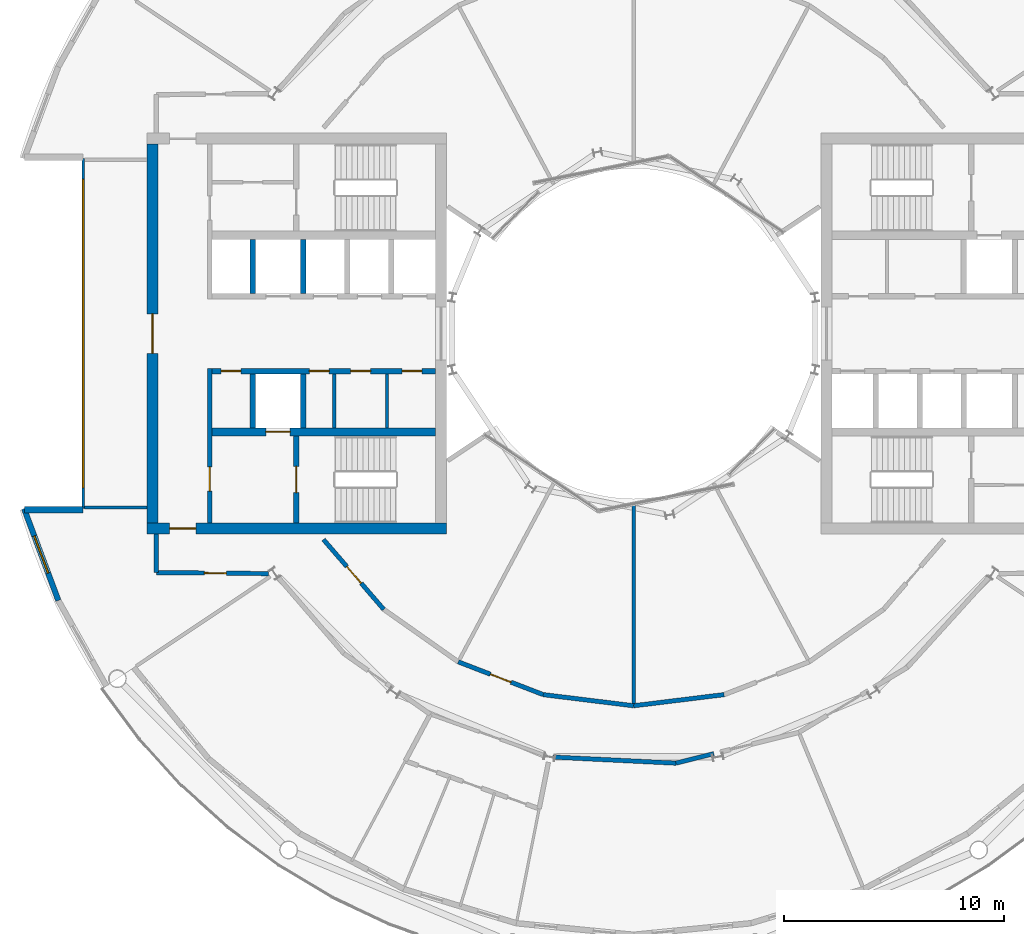
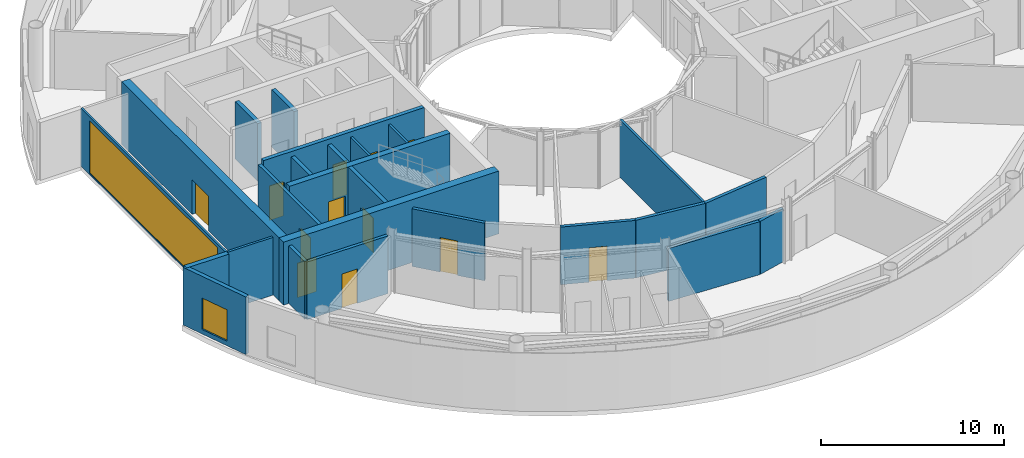
# One storey, part 13 of 21: 25 walls, 12 doors, 2 windows, 14 openings.
"""IFC4 building model written with IfcOpenShell, lengths in metres."""

from ifc_helpers import new_model, si_unit, direction, frame, frame_2d, origin, place, context, subcontext, project, spatial, rectangle, extrude, material, layer, layer_set, type_object, element, fill, save


model = new_model("IFC4")

# Units and contexts
model_context = context("Model", 3, precision=1e-05, world=origin(), true_north=direction((0.0, 1.0)))
body_context = subcontext(model_context, "Body", "Model", "MODEL_VIEW")
ifc_project = project(units=[si_unit("LENGTHUNIT", "METRE"), si_unit("AREAUNIT", "SQUARE_METRE"), si_unit("VOLUMEUNIT", "CUBIC_METRE"), si_unit("PLANEANGLEUNIT", "RADIAN"), si_unit("MASSUNIT", "GRAM", prefix="KILO")], contexts=[model_context])

# Site, building, storey
site_placement = place(None, origin())
site = spatial("IfcSite", under=ifc_project, at=site_placement, CompositionType="ELEMENT")
building_placement = place(site_placement, origin())
building = spatial("IfcBuilding", under=site, at=building_placement, Name="Maasbend Ring Residences", CompositionType="ELEMENT")
storey_placement = place(building_placement, frame((0.0, 0.0, 157.39990234375)))
storey = spatial("IfcBuildingStorey", under=building, at=storey_placement, Name="L45", CompositionType="ELEMENT", Elevation=157.39990234375)

# Wall, openings, doors
ifc_material_1 = material(Name="Concrete C60/75", Category="concrete")
ifc_layer_1 = layer(ifc_material_1, 0.25)
ifc_layer_set_1 = layer_set([ifc_layer_1], Name="Concrete C60/75")
wall_type_1 = type_object("IfcWallType", Name="CORE WALL 250 C60/75", PredefinedType="SHEAR", material=ifc_layer_set_1)
wall_1_placement = place(storey_placement, frame((-9.0, -1.699951171875, 0.0), z_axis=(0.0, 0.0, 1.0), x_axis=(-1.0, 0.0, 0.0)))
wall_1 = element("IfcWall", 1, at=wall_1_placement, inside=storey, type_object=wall_type_1, Name="L45 core W wall SPN", PredefinedType="SHEAR", context=body_context, shape_type="SweptSolid", body=[
    extrude(rectangle(XDim=10.14990234375, YDim=0.25, at=frame_2d((5.074951171875, 0.0))), origin(), (0.0, 0.0, 1.0), 4.2001953125),
])
opening_1_placement = place(wall_1_placement, frame((0.612548828125, 0.0, 0.0)))
opening_1 = element("IfcOpeningElement", 2, at=opening_1_placement, cuts=wall_1, Name="Opening D-W4506", PredefinedType="OPENING", context=body_context, shape_type="SweptSolid", body=[
    extrude(rectangle(XDim=0.89990234375, YDim=2.300048828125, at=frame_2d((0.449951171875, 1.14990234375))), frame((0.0, 0.135009765625, 0.0), z_axis=(0.0, -1.0, 0.0), x_axis=(1.0, 0.0, 0.0)), (0.0, 0.0, 1.0), 0.27001953125),
])
opening_2_placement = place(wall_1_placement, frame((2.949951171875, 0.0, 0.0)))
opening_2 = element("IfcOpeningElement", 3, at=opening_2_placement, cuts=wall_1, Name="Opening D-W4507", PredefinedType="OPENING", context=body_context, shape_type="SweptSolid", body=[
    extrude(rectangle(XDim=0.89990234375, YDim=2.300048828125, at=frame_2d((0.449951171875, 1.14990234375))), frame((0.0, 0.135009765625, 0.0), z_axis=(0.0, -1.0, 0.0), x_axis=(1.0, 0.0, 0.0)), (0.0, 0.0, 1.0), 0.27001953125),
])
opening_3_placement = place(wall_1_placement, frame((4.824951171875, 0.0, 0.0)))
opening_3 = element("IfcOpeningElement", 4, at=opening_3_placement, cuts=wall_1, Name="Opening D-W4508", PredefinedType="OPENING", context=body_context, shape_type="SweptSolid", body=[
    extrude(rectangle(XDim=0.89990234375, YDim=2.300048828125, at=frame_2d((0.449951171875, 1.14990234375))), frame((0.0, 0.135009765625, 0.0), z_axis=(0.0, -1.0, 0.0), x_axis=(1.0, 0.0, 0.0)), (0.0, 0.0, 1.0), 0.27001953125),
])
opening_4_placement = place(wall_1_placement, frame((8.83740234375, 0.0, 0.0)))
opening_4 = element("IfcOpeningElement", 5, at=opening_4_placement, cuts=wall_1, Name="Opening D-W4509", PredefinedType="OPENING", context=body_context, shape_type="SweptSolid", body=[
    extrude(rectangle(XDim=0.89990234375, YDim=2.300048828125, at=frame_2d((0.449951171875, 1.14990234375))), frame((0.0, 0.135009765625, 0.0), z_axis=(0.0, -1.0, 0.0), x_axis=(1.0, 0.0, 0.0)), (0.0, 0.0, 1.0), 0.27001953125),
])
ifc_material_2 = material(Name="Steel, powder coated", Category="steel")
door_type_1 = type_object("IfcDoorType", Name="ROOM DOOR 900 X 2300 FD30S", OperationType="NOTDEFINED", PredefinedType="DOOR", material=ifc_material_2)
door_1_placement = place(opening_1_placement, origin())
door_1 = element("IfcDoor", 6, at=door_1_placement, inside=storey, type_object=door_type_1, Name="Room door L45", OperationType="SINGLE_SWING_RIGHT", OverallHeight=2.300048828125, OverallWidth=0.89990234375, PredefinedType="DOOR", context=body_context, shape_type="SweptSolid", body=[
    extrude(rectangle(XDim=0.89990234375, YDim=2.300048828125, at=frame_2d((0.449951171875, 1.14990234375))), frame((0.0, 0.02490234375, 0.0), z_axis=(0.0, -1.0, 0.0), x_axis=(1.0, 0.0, 0.0)), (0.0, 0.0, 1.0), 0.050048828125),
])
fill(opening_1, door_1)
door_2_placement = place(opening_2_placement, origin())
door_2 = element("IfcDoor", 7, at=door_2_placement, inside=storey, type_object=door_type_1, Name="Room door L45", OperationType="SINGLE_SWING_RIGHT", OverallHeight=2.300048828125, OverallWidth=0.89990234375, PredefinedType="DOOR", context=body_context, shape_type="SweptSolid", body=[
    extrude(rectangle(XDim=0.89990234375, YDim=2.300048828125, at=frame_2d((0.449951171875, 1.14990234375))), frame((0.0, 0.02490234375, 0.0), z_axis=(0.0, -1.0, 0.0), x_axis=(1.0, 0.0, 0.0)), (0.0, 0.0, 1.0), 0.050048828125),
])
fill(opening_2, door_2)
door_3_placement = place(opening_3_placement, origin())
door_3 = element("IfcDoor", 8, at=door_3_placement, inside=storey, type_object=door_type_1, Name="Room door L45", OperationType="SINGLE_SWING_LEFT", OverallHeight=2.300048828125, OverallWidth=0.89990234375, PredefinedType="DOOR", context=body_context, shape_type="SweptSolid", body=[
    extrude(rectangle(XDim=0.89990234375, YDim=2.300048828125, at=frame_2d((0.449951171875, 1.14990234375))), frame((0.0, 0.02490234375, 0.0), z_axis=(0.0, -1.0, 0.0), x_axis=(1.0, 0.0, 0.0)), (0.0, 0.0, 1.0), 0.050048828125),
])
fill(opening_3, door_3)
door_4_placement = place(opening_4_placement, origin())
door_4 = element("IfcDoor", 9, at=door_4_placement, inside=storey, type_object=door_type_1, Name="Room door L45", OperationType="SINGLE_SWING_LEFT", OverallHeight=2.300048828125, OverallWidth=0.89990234375, PredefinedType="DOOR", context=body_context, shape_type="SweptSolid", body=[
    extrude(rectangle(XDim=0.89990234375, YDim=2.300048828125, at=frame_2d((0.449951171875, 1.14990234375))), frame((0.0, 0.02490234375, 0.0), z_axis=(0.0, -1.0, 0.0), x_axis=(1.0, 0.0, 0.0)), (0.0, 0.0, 1.0), 0.050048828125),
])
fill(opening_4, door_4)

# Wall, opening, door
wall_2_placement = place(storey_placement, frame((-15.324951171875, -4.64990234375, 0.0), z_axis=(0.0, 0.0, 1.0), x_axis=(0.0, -1.0, 0.0)))
wall_2 = element("IfcWall", 10, at=wall_2_placement, inside=storey, type_object=wall_type_1, Name="L45 core W wall STEN", PredefinedType="SHEAR", context=body_context, shape_type="SweptSolid", body=[
    extrude(rectangle(XDim=3.9501953125, YDim=0.25, at=frame_2d((1.97509765625, 0.0))), origin(), (0.0, 0.0, 1.0), 4.2001953125),
])
opening_5_placement = place(wall_2_placement, frame((1.375, 0.0, 0.0)))
opening_5 = element("IfcOpeningElement", 11, at=opening_5_placement, cuts=wall_2, Name="Opening D-W4511", PredefinedType="OPENING", context=body_context, shape_type="SweptSolid", body=[
    extrude(rectangle(XDim=1.199951171875, YDim=2.300048828125, at=frame_2d((0.60009765625, 1.14990234375))), frame((0.0, 0.135009765625, 0.0), z_axis=(0.0, -1.0, 0.0), x_axis=(1.0, 0.0, 0.0)), (0.0, 0.0, 1.0), 0.27001953125),
])
ifc_material_3 = material(Name="Steel, powder coated", Category="steel")
door_type_2 = type_object("IfcDoorType", Name="STAIR DOOR 1200 X 2300 FD60", OperationType="NOTDEFINED", PredefinedType="DOOR", material=ifc_material_3)
door_5_placement = place(opening_5_placement, origin())
door_5 = element("IfcDoor", 12, at=door_5_placement, inside=storey, type_object=door_type_2, Name="Stair door ST-W L45", OperationType="SINGLE_SWING_LEFT", OverallHeight=2.300048828125, OverallWidth=1.199951171875, PredefinedType="DOOR", context=body_context, shape_type="SweptSolid", body=[
    extrude(rectangle(XDim=1.199951171875, YDim=2.300048828125, at=frame_2d((0.60009765625, 1.14990234375))), frame((0.0, 0.02490234375, 0.0), z_axis=(0.0, -1.0, 0.0), x_axis=(1.0, 0.0, 0.0)), (0.0, 0.0, 1.0), 0.050048828125),
])
fill(opening_5, door_5)

ifc_material_4 = material(Name="Concrete C60/75", Category="concrete")
ifc_layer_2 = layer(ifc_material_4, 0.375)
ifc_layer_set_2 = layer_set([ifc_layer_2], Name="Concrete C60/75")
wall_type_2 = type_object("IfcWallType", Name="CORE WALL 375 C60/75", PredefinedType="SHEAR", material=ifc_layer_set_2)
wall_3_placement = place(storey_placement, frame((-9.0, -4.46240234375, 0.0), z_axis=(0.0, 0.0, 1.0), x_axis=(-1.0, 0.0, 0.0)))
wall_3 = element("IfcWall", 13, at=wall_3_placement, inside=storey, type_object=wall_type_2, Name="L45 core W wall BN", PredefinedType="SHEAR", context=body_context, shape_type="SweptSolid", body=[
    extrude(rectangle(XDim=10.14990234375, YDim=0.375, at=frame_2d((5.074951171875, 0.0))), origin(), (0.0, 0.0, 1.0), 4.2001953125),
])
opening_6_placement = place(wall_3_placement, frame((6.60009765625, 0.0, 0.0)))
opening_6 = element("IfcOpeningElement", 14, at=opening_6_placement, cuts=wall_3, Name="Opening LD-W4501", PredefinedType="OPENING", context=body_context, shape_type="SweptSolid", body=[
    extrude(rectangle(XDim=1.10009765625, YDim=2.300048828125, at=frame_2d((0.550048828125, 1.14990234375))), frame((0.0, 0.197509765625, 0.0), z_axis=(0.0, -1.0, 0.0), x_axis=(1.0, 0.0, 0.0)), (0.0, 0.0, 1.0), 0.39501953125),
])
ifc_material_5 = material(Name="Stainless steel 316", Category="steel")
door_type_3 = type_object("IfcDoorType", Name="LANDING DOOR 1100 X 2300 FD60", OperationType="DOUBLE_DOOR_SLIDING", PredefinedType="DOOR", material=ifc_material_5)
door_6_placement = place(opening_6_placement, origin())
door_6 = element("IfcDoor", 15, at=door_6_placement, inside=storey, type_object=door_type_3, Name="Landing door FF-W L45", OperationType="DOUBLE_DOOR_SLIDING", OverallHeight=2.300048828125, OverallWidth=1.10009765625, PredefinedType="DOOR", context=body_context, shape_type="SweptSolid", body=[
    extrude(rectangle(XDim=1.10009765625, YDim=2.300048828125, at=frame_2d((0.550048828125, 1.14990234375))), frame((0.0, 0.02490234375, 0.0), z_axis=(0.0, -1.0, 0.0), x_axis=(1.0, 0.0, 0.0)), (0.0, 0.0, 1.0), 0.050048828125),
])
fill(opening_6, door_6)

ifc_material_6 = material(Name="Concrete C60/75", Category="concrete")
ifc_layer_3 = layer(ifc_material_6, 0.5)
ifc_layer_set_3 = layer_set([ifc_layer_3], Name="Concrete C60/75")
wall_type_3 = type_object("IfcWallType", Name="CORE WALL 500 C60/75", PredefinedType="SHEAR", material=ifc_layer_set_3)
wall_4_placement = place(storey_placement, frame((-22.10009765625, -8.85009765625, 0.0), z_axis=(0.0, 0.0, 1.0), x_axis=(1.0, 0.0, 0.0)))
wall_4 = element("IfcWall", 16, at=wall_4_placement, inside=storey, type_object=wall_type_3, Name="L45 core W wall PN", PredefinedType="SHEAR", context=body_context, shape_type="SweptSolid", body=[
    extrude(rectangle(XDim=13.60009765625, YDim=0.5, at=frame_2d((6.800048828125, 0.0))), origin(), (0.0, 0.0, 1.0), 4.2001953125),
])
opening_7_placement = place(wall_4_placement, frame((1.02490234375, 0.0, 0.0)))
opening_7 = element("IfcOpeningElement", 17, at=opening_7_placement, cuts=wall_4, Name="Opening D-W4515", PredefinedType="OPENING", context=body_context, shape_type="SweptSolid", body=[
    extrude(rectangle(XDim=1.199951171875, YDim=2.300048828125, at=frame_2d((0.60009765625, 1.14990234375))), frame((0.0, 0.260009765625, 0.0), z_axis=(0.0, -1.0, 0.0), x_axis=(1.0, 0.0, 0.0)), (0.0, 0.0, 1.0), 0.52001953125),
])
ifc_material_7 = material(Name="Steel, powder coated", Category="steel")
door_type_4 = type_object("IfcDoorType", Name="CORRIDOR DOOR 1200 X 2300 FD30S", OperationType="NOTDEFINED", PredefinedType="DOOR", material=ifc_material_7)
door_7_placement = place(opening_7_placement, origin())
door_7 = element("IfcDoor", 18, at=door_7_placement, inside=storey, type_object=door_type_4, Name="Corridor door L45", OperationType="SINGLE_SWING_RIGHT", OverallHeight=2.300048828125, OverallWidth=1.199951171875, PredefinedType="DOOR", context=body_context, shape_type="SweptSolid", body=[
    extrude(rectangle(XDim=1.199951171875, YDim=2.300048828125, at=frame_2d((0.60009765625, 1.14990234375))), frame((0.0, 0.02490234375, 0.0), z_axis=(0.0, -1.0, 0.0), x_axis=(1.0, 0.0, 0.0)), (0.0, 0.0, 1.0), 0.050048828125),
])
fill(opening_7, door_7)

wall_5_placement = place(storey_placement, frame((-21.85009765625, -8.60009765625, 0.0), z_axis=(0.0, 0.0, 1.0), x_axis=(0.0, 1.0, 0.0)))
wall_5 = element("IfcWall", 19, at=wall_5_placement, inside=storey, type_object=wall_type_3, Name="L45 core W wall POUT", PredefinedType="SHEAR", context=body_context, shape_type="SweptSolid", body=[
    extrude(rectangle(XDim=17.2001953125, YDim=0.5, at=frame_2d((8.60009765625, 0.0))), origin(), (0.0, 0.0, 1.0), 4.2001953125),
])
opening_8_placement = place(wall_5_placement, frame((7.699951171875, 0.0, 0.0)))
opening_8 = element("IfcOpeningElement", 20, at=opening_8_placement, cuts=wall_5, Name="Opening D-W4517", PredefinedType="OPENING", context=body_context, shape_type="SweptSolid", body=[
    extrude(rectangle(XDim=1.800048828125, YDim=2.300048828125, at=frame_2d((0.89990234375, 1.14990234375))), frame((0.0, 0.260009765625, 0.0), z_axis=(0.0, -1.0, 0.0), x_axis=(1.0, 0.0, 0.0)), (0.0, 0.0, 1.0), 0.52001953125),
])
ifc_material_8 = material(Name="Aluminium frame, clear glass", Category="aluminium")
door_type_5 = type_object("IfcDoorType", Name="ENTRANCE DOOR 1800 X 2300 FD60", OperationType="NOTDEFINED", PredefinedType="DOOR", material=ifc_material_8)
door_8_placement = place(opening_8_placement, origin())
door_8 = element("IfcDoor", 21, at=door_8_placement, inside=storey, type_object=door_type_5, Name="Lobby glazed door L45", OperationType="SINGLE_SWING_LEFT", OverallHeight=2.300048828125, OverallWidth=1.800048828125, PredefinedType="DOOR", context=body_context, shape_type="SweptSolid", body=[
    extrude(rectangle(XDim=1.800048828125, YDim=2.300048828125, at=frame_2d((0.89990234375, 1.14990234375))), frame((0.0, 0.02490234375, 0.0), z_axis=(0.0, -1.0, 0.0), x_axis=(1.0, 0.0, 0.0)), (0.0, 0.0, 1.0), 0.050048828125),
])
fill(opening_8, door_8)

# Walls
ifc_material_9 = material(Name="Concrete C30/37", Category="concrete")
ifc_layer_4 = layer(ifc_material_9, 0.199951171875)
ifc_layer_set_4 = layer_set([ifc_layer_4], Name="Concrete C30/37")
wall_type_4 = type_object("IfcWallType", Name="CORRIDOR WALL 200 CONCRETE", PredefinedType="PARTITIONING", material=ifc_layer_set_4)
wall_6_placement = place(storey_placement, frame((-3.672119140625, -19.22998046875, 0.0), z_axis=(0.0, 0.0, 1.0), x_axis=(0.998783562084, -0.049309188909, 0.0)))
element("IfcWall", 22, at=wall_6_placement, inside=storey, type_object=wall_type_4, Name="U-L45-w008", PredefinedType="PARTITIONING", context=body_context, shape_type="SweptSolid", body=[
    extrude(rectangle(XDim=5.599853515625, YDim=0.199951171875, at=frame_2d((2.7998046875, 0.0))), origin(), (0.0, 0.0, 1.0), 3.5400390625),
])
wall_7_placement = place(storey_placement, frame((1.9208984375, -19.506103515625, 0.0), z_axis=(0.0, 0.0, 1.0), x_axis=(0.969996560647, 0.243118638391, 0.0)))
element("IfcWall", 23, at=wall_7_placement, inside=storey, type_object=wall_type_4, Name="U-L45-w009", PredefinedType="PARTITIONING", context=body_context, shape_type="SweptSolid", body=[
    extrude(rectangle(XDim=1.7734375, YDim=0.199951171875, at=frame_2d((0.88671875, 0.0))), origin(), (0.0, 0.0, 1.0), 3.5400390625),
])

# Wall, opening, door
wall_8_placement = place(storey_placement, frame((-14.0859375, -9.35009765625, 0.0), z_axis=(0.0, 0.0, 1.0), x_axis=(0.653273870261, -0.757121687996, 0.0)))
wall_8 = element("IfcWall", 24, at=wall_8_placement, inside=storey, type_object=wall_type_4, Name="U-L45-w014", PredefinedType="PARTITIONING", context=body_context, shape_type="SweptSolid", body=[
    extrude(rectangle(XDim=4.189453125, YDim=0.199951171875, at=frame_2d((2.0947265625, 0.0))), origin(), (0.0, 0.0, 1.0), 3.85009765625),
])
opening_9_placement = place(wall_8_placement, frame((1.62109375, 0.0, 0.0)))
opening_9 = element("IfcOpeningElement", 25, at=opening_9_placement, cuts=wall_8, Name="Opening D-4519", PredefinedType="OPENING", context=body_context, shape_type="SweptSolid", body=[
    extrude(rectangle(XDim=1.0, YDim=2.300048828125, at=frame_2d((0.5, 1.14990234375))), frame((0.0, 0.10986328125, 0.0), z_axis=(0.0, -1.0, 0.0), x_axis=(1.0, 0.0, 0.0)), (0.0, 0.0, 1.0), 0.219970703125),
])
ifc_material_10 = material(Name="Timber, painted", Category="wood")
door_type_6 = type_object("IfcDoorType", Name="ROOM DOOR 1000 X 2300", OperationType="NOTDEFINED", PredefinedType="DOOR", material=ifc_material_10)
door_9_placement = place(opening_9_placement, origin())
door_9 = element("IfcDoor", 26, at=door_9_placement, inside=storey, type_object=door_type_6, Name="D-4519", OperationType="SINGLE_SWING_LEFT", OverallHeight=2.300048828125, OverallWidth=1.0, PredefinedType="DOOR", context=body_context, shape_type="SweptSolid", body=[
    extrude(rectangle(XDim=1.0, YDim=2.300048828125, at=frame_2d((0.5, 1.14990234375))), frame((0.0, 0.02490234375, 0.0), z_axis=(0.0, -1.0, 0.0), x_axis=(1.0, 0.0, 0.0)), (0.0, 0.0, 1.0), 0.050048828125),
])
fill(opening_9, door_9)

wall_9_placement = place(storey_placement, frame((-7.967041015625, -14.904052734375, 0.0), z_axis=(0.0, 0.0, 1.0), x_axis=(0.932943640288, -0.360022449363, 0.0)))
wall_9 = element("IfcWall", 27, at=wall_9_placement, inside=storey, type_object=wall_type_4, Name="U-L45-w016", PredefinedType="PARTITIONING", context=body_context, shape_type="SweptSolid", body=[
    extrude(rectangle(XDim=4.138671875, YDim=0.199951171875, at=frame_2d((2.0693359375, 0.0))), origin(), (0.0, 0.0, 1.0), 3.85009765625),
])
opening_10_placement = place(wall_9_placement, frame((1.569091796875, 0.0, 0.0)))
opening_10 = element("IfcOpeningElement", 28, at=opening_10_placement, cuts=wall_9, Name="Opening D-4520", PredefinedType="OPENING", context=body_context, shape_type="SweptSolid", body=[
    extrude(rectangle(XDim=1.0, YDim=2.300048828125, at=frame_2d((0.5, 1.14990234375))), frame((0.0, 0.10986328125, 0.0), z_axis=(0.0, -1.0, 0.0), x_axis=(1.0, 0.0, 0.0)), (0.0, 0.0, 1.0), 0.219970703125),
])
door_10_placement = place(opening_10_placement, origin())
door_10 = element("IfcDoor", 29, at=door_10_placement, inside=storey, type_object=door_type_6, Name="D-4520", OperationType="SINGLE_SWING_LEFT", OverallHeight=2.300048828125, OverallWidth=1.0, PredefinedType="DOOR", context=body_context, shape_type="SweptSolid", body=[
    extrude(rectangle(XDim=1.0, YDim=2.300048828125, at=frame_2d((0.5, 1.14990234375))), frame((0.0, 0.02490234375, 0.0), z_axis=(0.0, -1.0, 0.0), x_axis=(1.0, 0.0, 0.0)), (0.0, 0.0, 1.0), 0.050048828125),
])
fill(opening_10, door_10)

# Walls
for number, where, z_axis, x_axis, name in (
    (30, (-4.10595703125, -16.39404296875, 0.0), (0.0, 0.0, 1.0), (0.992496033272, -0.122276833211, 0.0), "U-L45-w017"),
    (31, (0.0, -16.89990234375, 0.0), (0.0, 0.0, 1.0), (0.992496033272, 0.122276833211, 0.0), "U-L45-w018"),
):
    element("IfcWall", number, at=place(storey_placement, frame(where, z_axis=z_axis, x_axis=x_axis)), inside=storey, type_object=wall_type_4, Name=name, PredefinedType="PARTITIONING", context=body_context, shape_type="SweptSolid", body=[
        extrude(rectangle(XDim=4.136962890625, YDim=0.199951171875, at=frame_2d((2.068359375, 0.0))), origin(), (0.0, 0.0, 1.0), 3.85009765625),
    ])

# Wall, opening, door
wall_10_placement = place(storey_placement, frame((-21.675048828125, -10.85009765625, 0.0), z_axis=(0.0, 0.0, 1.0), x_axis=(0.999954045313, -0.009586827528, 0.0)))
wall_10 = element("IfcWall", 32, at=wall_10_placement, inside=storey, type_object=wall_type_4, Name="U-L45-w022", PredefinedType="PARTITIONING", context=body_context, shape_type="SweptSolid", body=[
    extrude(rectangle(XDim=5.09326171875, YDim=0.199951171875, at=frame_2d((2.546630859375, 0.0))), origin(), (0.0, 0.0, 1.0), 3.85009765625),
])
opening_11_placement = place(wall_10_placement, frame((2.179931640625, 0.0, 0.0)))
opening_11 = element("IfcOpeningElement", 33, at=opening_11_placement, cuts=wall_10, Name="Opening D-4523", PredefinedType="OPENING", context=body_context, shape_type="SweptSolid", body=[
    extrude(rectangle(XDim=1.0, YDim=2.300048828125, at=frame_2d((0.5, 1.14990234375))), frame((0.0, 0.10986328125, 0.0), z_axis=(0.0, -1.0, 0.0), x_axis=(1.0, 0.0, 0.0)), (0.0, 0.0, 1.0), 0.219970703125),
])
door_11_placement = place(opening_11_placement, origin())
door_11 = element("IfcDoor", 34, at=door_11_placement, inside=storey, type_object=door_type_6, Name="D-4523", OperationType="SINGLE_SWING_RIGHT", OverallHeight=2.300048828125, OverallWidth=1.0, PredefinedType="DOOR", context=body_context, shape_type="SweptSolid", body=[
    extrude(rectangle(XDim=1.0, YDim=2.300048828125, at=frame_2d((0.5, 1.14990234375))), frame((0.0, 0.02490234375, 0.0), z_axis=(0.0, -1.0, 0.0), x_axis=(1.0, 0.0, 0.0)), (0.0, 0.0, 1.0), 0.050048828125),
])
fill(opening_11, door_11)

# Wall
wall_11_placement = place(storey_placement, frame((-21.675048828125, -10.85009765625, 0.0), z_axis=(0.0, 0.0, 1.0), x_axis=(0.0, 1.0, 0.0)))
element("IfcWall", 35, at=wall_11_placement, inside=storey, type_object=wall_type_4, Name="U-L45-w072", PredefinedType="PARTITIONING", context=body_context, shape_type="SweptSolid", body=[
    extrude(rectangle(XDim=1.75, YDim=0.199951171875, at=frame_2d((0.875, 0.0))), origin(), (0.0, 0.0, 1.0), 3.85009765625),
])

# Wall, opening, window
ifc_material_11 = material(Name="Aluminium clad insulated panel", Category="aluminium")
ifc_layer_5 = layer(ifc_material_11, 0.25)
ifc_layer_set_5 = layer_set([ifc_layer_5], Name="EW-HORN")
wall_type_5 = type_object("IfcWallType", Name="EW-HORN", PredefinedType="SOLIDWALL", material=ifc_layer_set_5)
wall_12_placement = place(storey_placement, frame((-27.681884765625, -7.945068359375, 0.0), z_axis=(0.0, 0.0, 1.0), x_axis=(0.349247811493, -0.937030397675, 0.0)))
wall_12 = element("IfcWall", 36, at=wall_12_placement, inside=storey, type_object=wall_type_5, Name="Horn wall 3.1", PredefinedType="SOLIDWALL", context=body_context, shape_type="SweptSolid", body=[
    extrude(rectangle(XDim=4.4521484375, YDim=0.25, at=frame_2d((2.22607421875, 0.0))), origin(), (0.0, 0.0, 1.0), 3.85009765625),
])
opening_12_placement = place(wall_12_placement, frame((1.32666015625, 0.0, 0.300048828125)))
opening_12 = element("IfcOpeningElement", 37, at=opening_12_placement, cuts=wall_12, Name="Opening W-BX", PredefinedType="OPENING", context=body_context, shape_type="SweptSolid", body=[
    extrude(rectangle(XDim=1.800048828125, YDim=2.10009765625, at=frame_2d((0.89990234375, 1.050048828125))), frame((0.0, 0.135009765625, 0.0), z_axis=(0.0, -1.0, 0.0), x_axis=(1.0, 0.0, 0.0)), (0.0, 0.0, 1.0), 0.27001953125),
])
ifc_material_12 = material(Name="Aluminium and clear glass", Category="aluminium")
window_type_1 = type_object("IfcWindowType", Name="W-BX", PartitioningType="DOUBLE_PANEL_VERTICAL", PredefinedType="WINDOW", material=ifc_material_12)
window_1_placement = place(opening_12_placement, origin())
window_1 = element("IfcWindow", 38, at=window_1_placement, inside=storey, type_object=window_type_1, Name="Horn window 3.1", OverallHeight=2.10009765625, OverallWidth=1.800048828125, PartitioningType="SINGLE_PANEL", PredefinedType="WINDOW", context=body_context, shape_type="SweptSolid", body=[
    extrude(rectangle(XDim=1.800048828125, YDim=2.10009765625, at=frame_2d((0.89990234375, 1.050048828125))), frame((0.0, 0.030029296875, 0.0), z_axis=(0.0, -1.0, 0.0), x_axis=(1.0, 0.0, 0.0)), (0.0, 0.0, 1.0), 0.06005859375),
])
fill(opening_12, window_1)

# Wall
ifc_material_13 = material(Name="Aluminium clad insulated panel", Category="aluminium")
ifc_layer_6 = layer(ifc_material_13, 0.300048828125)
ifc_layer_set_6 = layer_set([ifc_layer_6], Name="EW-RET")
wall_type_6 = type_object("IfcWallType", Name="EW-RET", PredefinedType="SOLIDWALL", material=ifc_layer_set_6)
wall_13_placement = place(storey_placement, frame((-25.0, -8.0, 0.0), z_axis=(0.0, 0.0, 1.0), x_axis=(-1.0, 0.0, 0.0)))
element("IfcWall", 39, at=wall_13_placement, inside=storey, type_object=wall_type_6, Name="Notch return wall west south", PredefinedType="SOLIDWALL", context=body_context, shape_type="SweptSolid", body=[
    extrude(rectangle(XDim=2.6669921875, YDim=0.300048828125, at=frame_2d((1.33349609375, 0.0))), origin(), (0.0, 0.0, 1.0), 3.85009765625),
])

# Wall, opening, window
ifc_material_14 = material(Name="Aluminium frame and clear glass", Category="aluminium")
ifc_layer_7 = layer(ifc_material_14, 0.1201171875)
ifc_layer_set_7 = layer_set([ifc_layer_7], Name="GLAZED SCREEN WALL 120 EI 60")
wall_type_7 = type_object("IfcWallType", Name="GLAZED SCREEN WALL 120 EI 60", PredefinedType="PARTITIONING", material=ifc_layer_set_7)
wall_14_placement = place(storey_placement, frame((-25.0, 7.949951171875, 0.0), z_axis=(0.0, 0.0, 1.0), x_axis=(0.0, -1.0, 0.0)))
wall_14 = element("IfcWall", 40, at=wall_14_placement, inside=storey, type_object=wall_type_7, Name="L45 core W wall FACE", PredefinedType="PARTITIONING", context=body_context, shape_type="SweptSolid", body=[
    extrude(rectangle(XDim=15.89990234375, YDim=0.1201171875, at=frame_2d((7.949951171875, 0.0))), origin(), (0.0, 0.0, 1.0), 3.85009765625),
])
opening_13_placement = place(wall_14_placement, frame((0.949951171875, 0.0, 0.10009765625)))
opening_13 = element("IfcOpeningElement", 41, at=opening_13_placement, cuts=wall_14, Name="Opening W-W4502", PredefinedType="OPENING", context=body_context, shape_type="SweptSolid", body=[
    extrude(rectangle(XDim=14.0, YDim=3.5, at=frame_2d((7.0, 1.75))), frame((0.0, 0.070068359375, 0.0), z_axis=(0.0, -1.0, 0.0), x_axis=(1.0, 0.0, 0.0)), (0.0, 0.0, 1.0), 0.14013671875),
])
ifc_material_15 = material(Name="Aluminium frame and clear glass", Category="aluminium")
window_type_2 = type_object("IfcWindowType", Name="FIXED WINDOW 14000 X 3500", PartitioningType="SINGLE_PANEL", PredefinedType="WINDOW", material=ifc_material_15)
window_2_placement = place(opening_13_placement, origin())
window_2 = element("IfcWindow", 42, at=window_2_placement, inside=storey, type_object=window_type_2, Name="Lobby window L45", OverallHeight=3.5, OverallWidth=14.0, PartitioningType="SINGLE_PANEL", PredefinedType="WINDOW", context=body_context, shape_type="SweptSolid", body=[
    extrude(rectangle(XDim=14.0, YDim=3.5, at=frame_2d((7.0, 1.75))), frame((0.0, 0.030029296875, 0.0), z_axis=(0.0, -1.0, 0.0), x_axis=(1.0, 0.0, 0.0)), (0.0, 0.0, 1.0), 0.06005859375),
])
fill(opening_13, window_2)

# Walls
ifc_material_16 = material(Name="Gypsum board on steel studs", Category="steel")
ifc_layer_8 = layer(ifc_material_16, 0.14990234375)
ifc_layer_set_8 = layer_set([ifc_layer_8], Name="PARTITION 150 EI 60")
wall_type_8 = type_object("IfcWallType", Name="PARTITION 150 EI 60", PredefinedType="PARTITIONING", material=ifc_layer_set_8)
for number, where, z_axis, x_axis, name in (
    (43, (-11.199951171875, -1.824951171875, 0.0), (0.0, 0.0, 1.0), (0.0, -1.0, 0.0), "L45 core W wall PRN1120"),
    (44, (-13.60009765625, -1.824951171875, 0.0), (0.0, 0.0, 1.0), (0.0, -1.0, 0.0), "L45 core W wall PRN1360"),
):
    element("IfcWall", number, at=place(storey_placement, frame(where, z_axis=z_axis, x_axis=x_axis)), inside=storey, type_object=wall_type_8, Name=name, PredefinedType="PARTITIONING", context=body_context, shape_type="SweptSolid", body=[
        extrude(rectangle(XDim=2.449951171875, YDim=0.14990234375, at=frame_2d((1.22509765625, 0.0))), origin(), (0.0, 0.0, 1.0), 3.85009765625),
    ])
wall_15_placement = place(storey_placement, frame((-22.10009765625, -7.89990234375, 0.0), z_axis=(0.0, 0.0, 1.0), x_axis=(-1.0, 0.0, 0.0)))
element("IfcWall", 45, at=wall_15_placement, inside=storey, type_object=wall_type_8, Name="L45 core W wall CITN", PredefinedType="PARTITIONING", context=body_context, shape_type="SweptSolid", body=[
    extrude(rectangle(XDim=2.83984375, YDim=0.14990234375, at=frame_2d((1.419921875, 0.0))), origin(), (0.0, 0.0, 1.0), 3.85009765625),
])
ifc_material_17 = material(Name="Gypsum board on steel studs", Category="steel")
ifc_layer_9 = layer(ifc_material_17, 0.14990234375)
ifc_layer_set_9 = layer_set([ifc_layer_9], Name="PARTITION 150 GYPSUM")
wall_type_9 = type_object("IfcWallType", Name="PARTITION 150 GYPSUM", PredefinedType="PARTITIONING", material=ifc_layer_set_9)
wall_16_placement = place(storey_placement, frame((0.0, -16.89990234375, 0.0), z_axis=(0.0, 0.0, 1.0), x_axis=(0.0, 1.0, 0.0)))
element("IfcWall", 46, at=wall_16_placement, inside=storey, type_object=wall_type_9, Name="U-L45-w037", PredefinedType="PARTITIONING", context=body_context, shape_type="SweptSolid", body=[
    extrude(rectangle(XDim=9.179931640625, YDim=0.14990234375, at=frame_2d((4.58984375, 0.0))), origin(), (0.0, 0.0, 1.0), 3.85009765625),
])

# Wall, opening, door
ifc_material_18 = material(Name="Concrete C30/37", Category="concrete")
ifc_layer_10 = layer(ifc_material_18, 0.199951171875)
ifc_layer_set_10 = layer_set([ifc_layer_10], Name="Concrete C30/37")
wall_type_10 = type_object("IfcWallType", Name="SHAFT WALL 200 EI 120", PredefinedType="SOLIDWALL", material=ifc_layer_set_10)
wall_17_placement = place(storey_placement, frame((-19.25, -1.574951171875, 0.0), z_axis=(0.0, 0.0, 1.0), x_axis=(0.0, -1.0, 0.0)))
wall_17 = element("IfcWall", 47, at=wall_17_placement, inside=storey, type_object=wall_type_10, Name="L45 core W wall ENDN", PredefinedType="SOLIDWALL", context=body_context, shape_type="SweptSolid", body=[
    extrude(rectangle(XDim=7.025146484375, YDim=0.199951171875, at=frame_2d((3.5126953125, 0.0))), origin(), (0.0, 0.0, 1.0), 3.85009765625),
])
opening_14_placement = place(wall_17_placement, frame((4.47509765625, 0.0, 0.0)))
opening_14 = element("IfcOpeningElement", 48, at=opening_14_placement, cuts=wall_17, Name="Opening D-W4513", PredefinedType="OPENING", context=body_context, shape_type="SweptSolid", body=[
    extrude(rectangle(XDim=1.10009765625, YDim=2.300048828125, at=frame_2d((0.550048828125, 1.14990234375))), frame((0.0, 0.10986328125, 0.0), z_axis=(0.0, -1.0, 0.0), x_axis=(1.0, 0.0, 0.0)), (0.0, 0.0, 1.0), 0.219970703125),
])
ifc_material_19 = material(Name="Steel, powder coated", Category="steel")
door_type_7 = type_object("IfcDoorType", Name="LOBBY DOOR 1100 X 2300 FD60", OperationType="NOTDEFINED", PredefinedType="DOOR", material=ifc_material_19)
door_12_placement = place(opening_14_placement, origin())
door_12 = element("IfcDoor", 49, at=door_12_placement, inside=storey, type_object=door_type_7, Name="Lobby door L45", OperationType="SINGLE_SWING_LEFT", OverallHeight=2.300048828125, OverallWidth=1.10009765625, PredefinedType="DOOR", context=body_context, shape_type="SweptSolid", body=[
    extrude(rectangle(XDim=1.10009765625, YDim=2.300048828125, at=frame_2d((0.550048828125, 1.14990234375))), frame((0.0, 0.02490234375, 0.0), z_axis=(0.0, -1.0, 0.0), x_axis=(1.0, 0.0, 0.0)), (0.0, 0.0, 1.0), 0.050048828125),
])
fill(opening_14, door_12)

# Walls
ifc_material_20 = material(Name="Concrete C30/37", Category="concrete")
ifc_layer_11 = layer(ifc_material_20, 0.25)
ifc_layer_set_11 = layer_set([ifc_layer_11], Name="Concrete C30/37")
wall_type_11 = type_object("IfcWallType", Name="SHAFT WALL 250 EI 120", PredefinedType="SOLIDWALL", material=ifc_layer_set_11)
for number, where, z_axis, x_axis, name in (
    (50, (-15.0, -1.824951171875, 0.0), (0.0, 0.0, 1.0), (0.0, -1.0, 0.0), "L45 core W wall D150N"),
    (51, (-17.300048828125, -1.824951171875, 0.0), (0.0, 0.0, 1.0), (0.0, -1.0, 0.0), "L45 core W wall D173N"),
    (52, (-15.0, 1.824951171875, 0.0), (0.0, 0.0, 1.0), (0.0, 1.0, 0.0), "L45 core W wall D150S"),
    (53, (-17.300048828125, 1.824951171875, 0.0), (0.0, 0.0, 1.0), (0.0, 1.0, 0.0), "L45 core W wall D173S"),
):
    element("IfcWall", number, at=place(storey_placement, frame(where, z_axis=z_axis, x_axis=x_axis)), inside=storey, type_object=wall_type_11, Name=name, PredefinedType="SOLIDWALL", context=body_context, shape_type="SweptSolid", body=[
        extrude(rectangle(XDim=2.449951171875, YDim=0.25, at=frame_2d((1.22509765625, 0.0))), origin(), (0.0, 0.0, 1.0), 3.85009765625),
    ])

save(model, "model.ifc")
